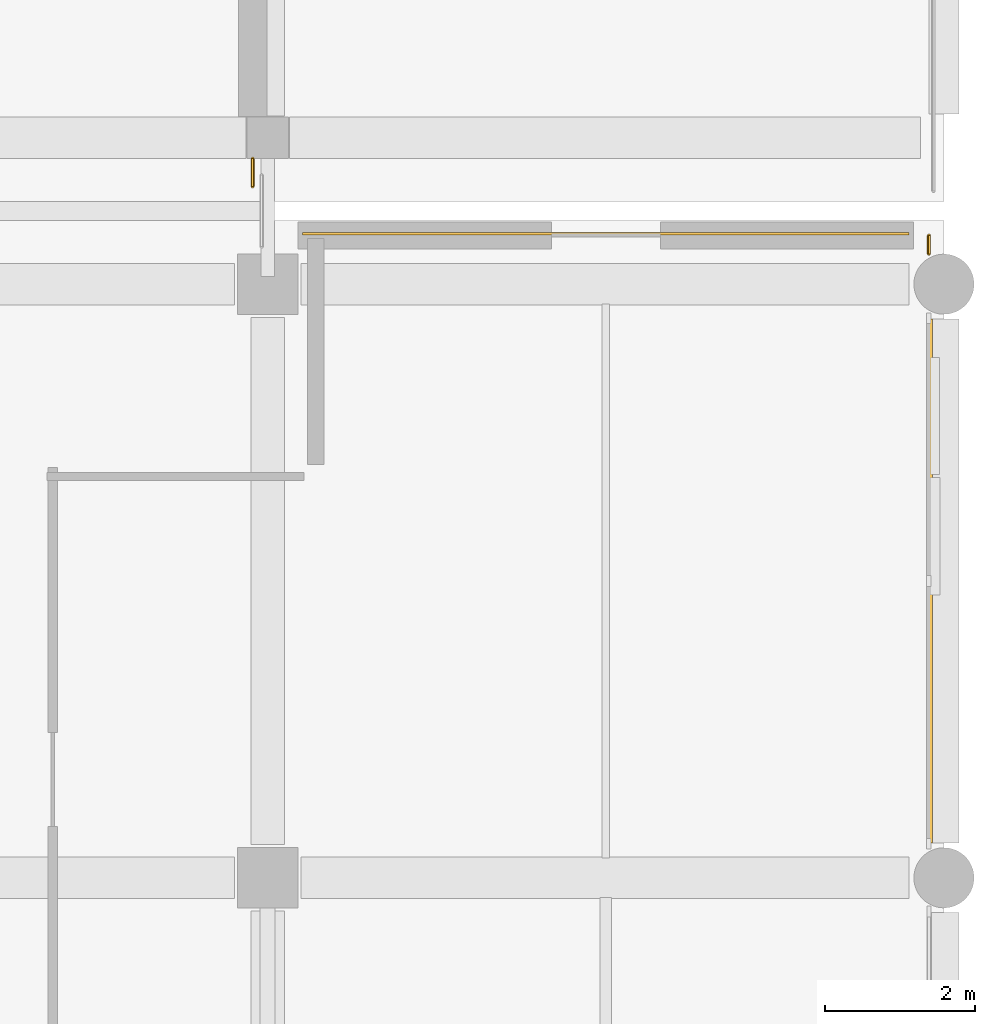
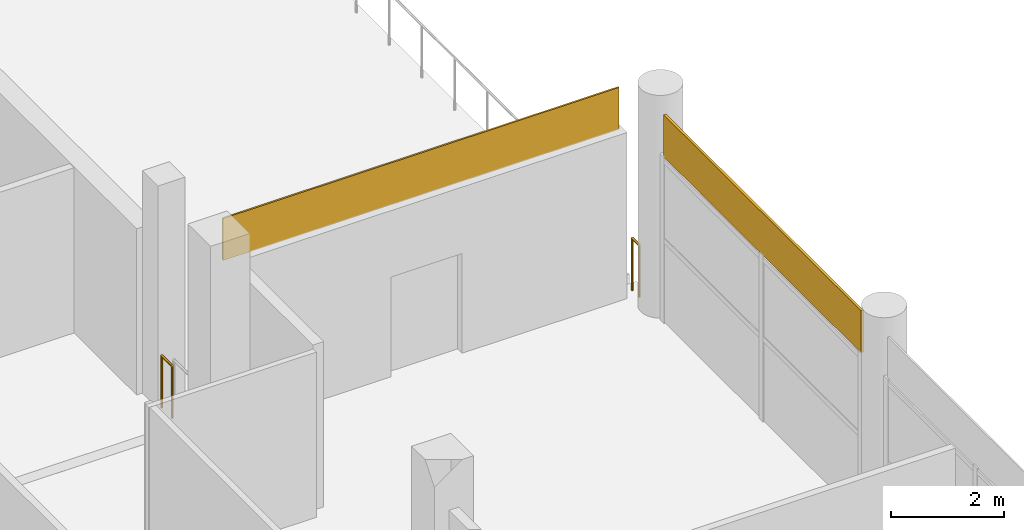
# One storey, part 107 of 111: 2 coverings, 2 railings.
"""IFC4 building model written with IfcOpenShell, lengths in metres."""

from ifc_helpers import new_model, si_unit, direction, frame, origin, origin_2d, place, context, subcontext, project, spatial, rectangle, circle, extrude, material, layer, layer_set, type_object, element, save


model = new_model("IFC4")

# Units and contexts
model_context = context("Model", 3, precision=1e-05, world=origin(), true_north=direction((0.0, 1.0)))
body_context = subcontext(model_context, "Body", "Model", "MODEL_VIEW")
ifc_project = project(units=[si_unit("LENGTHUNIT", "METRE"), si_unit("AREAUNIT", "SQUARE_METRE"), si_unit("VOLUMEUNIT", "CUBIC_METRE"), si_unit("PLANEANGLEUNIT", "RADIAN"), si_unit("MASSUNIT", "GRAM", prefix="KILO"), si_unit("THERMODYNAMICTEMPERATUREUNIT", "KELVIN"), si_unit("POWERUNIT", "WATT")], contexts=[model_context])

# Site, building, storey
site_placement = place(None, origin())
site = spatial("IfcSite", under=ifc_project, at=site_placement, CompositionType="ELEMENT")
building_placement = place(site_placement, origin())
building = spatial("IfcBuilding", under=site, at=building_placement, Name="Sindhuravela Promenade Stadium", CompositionType="ELEMENT")
storey_placement = place(building_placement, frame((0.0, 0.0, 9.60009765625)))
storey = spatial("IfcBuildingStorey", under=building, at=storey_placement, Name="L02", CompositionType="ELEMENT", Elevation=9.60009765625)

# Coverings
ifc_material_1 = material(Name="Polychrome trencadis ceramic mosaic", Category="masonry")
ifc_layer_1 = layer(ifc_material_1, 0.034912109375)
ifc_layer_set_1 = layer_set([ifc_layer_1], Name="Polychrome trencadis ceramic mosaic")
covering_type_1 = type_object("IfcCoveringType", Name="CV-TRENC-1", PredefinedType="CLADDING", material=ifc_layer_set_1)
covering_1_placement = place(storey_placement, frame((211.5, 125.570068359375, 3.5546875), z_axis=(0.0, 0.0, 1.0), x_axis=(1.0, 0.0, 0.0)))
element("IfcCovering", 1, at=covering_1_placement, inside=storey, type_object=covering_type_1, Name="Trencadis ceramic mosaic spandrel frieze EAST L02-184", PredefinedType="CLADDING", context=body_context, shape_type="SweptSolid", body=[
    extrude(rectangle(XDim=8.070068359375, YDim=0.034912109375, at=origin_2d()), origin(), (0.0, 0.0, 1.0), 0.905029296875),
])
ifc_layer_2 = layer(ifc_material_1, 0.050048828125)
ifc_layer_set_2 = layer_set([ifc_layer_2], Name="Polychrome trencadis ceramic mosaic")
covering_type_2 = type_object("IfcCoveringType", Name="CV-TRENC-2", PredefinedType="CLADDING", material=ifc_layer_set_2)
covering_2_placement = place(storey_placement, frame((215.820068359375, 120.949951171875, 3.5546875), z_axis=(0.0, 0.0, 1.0), x_axis=(0.0, -1.0, 0.0)))
element("IfcCovering", 2, at=covering_2_placement, inside=storey, type_object=covering_type_2, Name="Trencadis ceramic mosaic spandrel frieze EAST L02-185", PredefinedType="CLADDING", context=body_context, shape_type="SweptSolid", body=[
    extrude(rectangle(XDim=6.969970703125, YDim=0.050048828125, at=origin_2d()), origin(), (0.0, 0.0, 1.0), 0.905029296875),
])

# Railings
ifc_material_2 = material(Name="Architectural wrought steel E350", Category="steel")
railing_type = type_object("IfcRailingType", Name="RL-GRD-1150", PredefinedType="GUARDRAIL", material=ifc_material_2)
railing_1_placement = place(storey_placement, frame((215.800048828125, 125.550048828125, 0.0)))
element("IfcRailing", 3, at=railing_1_placement, inside=storey, type_object=railing_type, Name="Perimeter edge return guard EAST L02", PredefinedType="GUARDRAIL", context=body_context, shape_type="SweptSolid", body=[
    extrude(circle(Radius=0.02392578125, at=origin_2d()), frame((0.0, 0.0, 1.1259765625), z_axis=(0.0, -1.0, 0.0), x_axis=(1.0, 0.0, 0.0)), (0.0, 0.0, 1.0), 0.2451171875),
    extrude(circle(Radius=0.02099609375, at=origin_2d()), origin(), (0.0, 0.0, 1.0), 1.101806640625),
    extrude(circle(Radius=0.02099609375, at=origin_2d()), frame((0.0, -0.2451171875, 0.0)), (0.0, 0.0, 1.0), 1.101806640625),
])
railing_2_placement = place(storey_placement, frame((206.800048828125, 126.570068359375, 0.0)))
element("IfcRailing", 4, at=railing_2_placement, inside=storey, type_object=railing_type, Name="Perimeter edge return guard Pavilion NE L02", PredefinedType="GUARDRAIL", context=body_context, shape_type="SweptSolid", body=[
    extrude(circle(Radius=0.02392578125, at=origin_2d()), frame((0.0, 0.0, 1.1259765625), z_axis=(0.0, -1.0, 0.0), x_axis=(1.0, 0.0, 0.0)), (0.0, 0.0, 1.0), 0.3701171875),
    extrude(circle(Radius=0.02099609375, at=origin_2d()), origin(), (0.0, 0.0, 1.0), 1.101806640625),
    extrude(circle(Radius=0.02099609375, at=origin_2d()), frame((0.0, -0.3701171875, 0.0)), (0.0, 0.0, 1.0), 1.101806640625),
])

save(model, "model.ifc")
